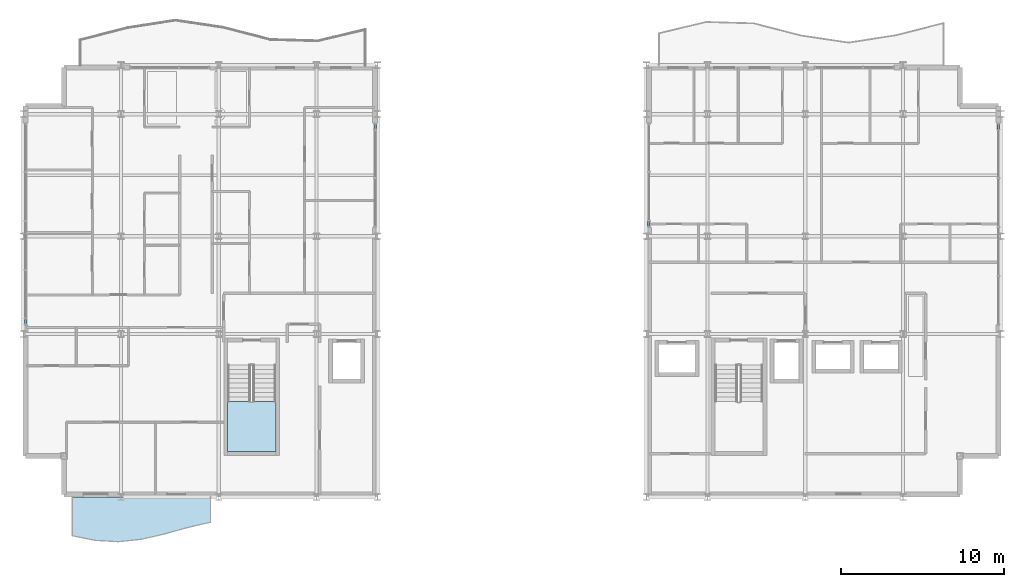
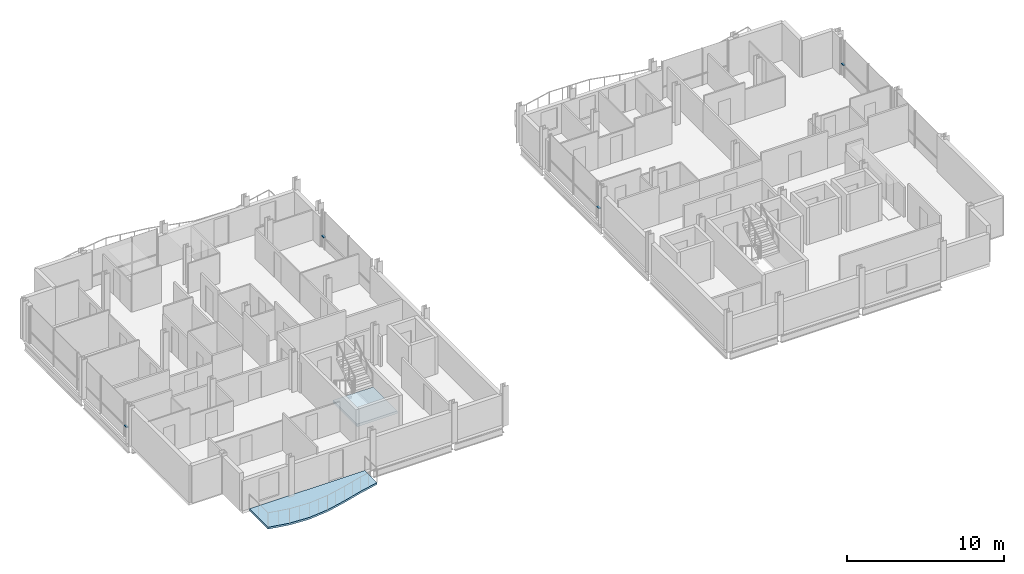
# One storey, part 15 of 27: 4 members, 2 slabs, 5 elements without a shape of their own.
"""IFC4 building model written with IfcOpenShell, lengths in metres."""

from ifc_helpers import new_model, si_unit, direction, frame, origin, origin_2d, place, context, subcontext, project, spatial, polyline, hollow_rectangle, outline, extrude, material, layer, layer_set, material_profile, profile_set, type_object, element, aggregate, save


model = new_model("IFC4")

# Units and contexts
model_context = context("Model", 3, precision=1e-05, world=origin(), true_north=direction((0.0, 1.0)))
body_context = subcontext(model_context, "Body", "Model", "MODEL_VIEW")
ifc_project = project(units=[si_unit("LENGTHUNIT", "METRE"), si_unit("AREAUNIT", "SQUARE_METRE"), si_unit("VOLUMEUNIT", "CUBIC_METRE"), si_unit("PLANEANGLEUNIT", "RADIAN"), si_unit("MASSUNIT", "GRAM", prefix="KILO")], contexts=[model_context])

# Site, building, storey
site_placement = place(None, origin())
site = spatial("IfcSite", under=ifc_project, at=site_placement, CompositionType="ELEMENT")
building_placement = place(site_placement, origin())
building = spatial("IfcBuilding", under=site, at=building_placement, Name="Brevholm Reach", CompositionType="ELEMENT")
storey_placement = place(building_placement, frame((0.0, 0.0, 195.60009765625)))
storey = spatial("IfcBuildingStorey", under=building, at=storey_placement, Name="L59", CompositionType="ELEMENT", Elevation=195.60009765625)

# Curtain wall, member
ifc_material_1 = material(Name="Dark Anodised Aluminium 6063-T6 and Solar-Control Glass", Category="aluminium")
ifc_layer_1 = layer(ifc_material_1, 0.14990234375)
ifc_layer_set_1 = layer_set([ifc_layer_1], Name="Dark Anodised Aluminium 6063-T6 and Solar-Control Glass")
curtain_wall_type_1 = type_object("IfcCurtainWallType", Name="CW-01", PredefinedType="NOTDEFINED", material=ifc_layer_set_1)
curtain_wall_1_placement = place(storey_placement, origin())
curtain_wall_1 = element("IfcCurtainWall", 1, at=curtain_wall_1_placement, inside=storey, type_object=curtain_wall_type_1, Name="L59 Curtain Wall CW-01", PredefinedType="NOTDEFINED")
ifc_material_2 = material(Name="Dark Anodised Aluminium 6063-T6", Category="aluminium")
ifc_material_profile_1 = material_profile(ifc_material_2, hollow_rectangle(XDim=0.06494140625, YDim=0.14990234375, WallThickness=0.0048828125, InnerFilletRadius=0.0048828125, OuterFilletRadius=0.010009765625, at=origin_2d()), Name="RHS 150x65x5")
ifc_profile_set_1 = profile_set([ifc_material_profile_1], Name="Dark Anodised Aluminium 6063-T6")
member_type_1 = type_object("IfcMemberType", Name="CWT-150", PredefinedType="NOTDEFINED", material=ifc_profile_set_1)
member_1_placement = place(storey_placement, frame((0.14990234375, 10.91748046875, 0.89990234375), z_axis=(0.0, -1.0, 0.0), x_axis=(0.0, 0.0, 1.0)))
member_1 = element("IfcMember", 2, at=member_1_placement, type_object=member_type_1, Name="CT-150 Transom 5.1", ObjectType="TRANSOM", PredefinedType="USERDEFINED", context=body_context, shape_type="SweptSolid", body=[
    extrude(hollow_rectangle(XDim=0.06494140625, YDim=0.14990234375, WallThickness=0.0048828125, InnerFilletRadius=0.0048828125, OuterFilletRadius=0.010009765625, at=origin_2d()), origin(), (0.0, 0.0, 1.0), 0.302490234375),
])
aggregate(curtain_wall_1, [member_1])

curtain_wall_2_placement = place(storey_placement, origin())
curtain_wall_2 = element("IfcCurtainWall", 3, at=curtain_wall_2_placement, inside=storey, type_object=curtain_wall_type_1, Name="L59 Curtain Wall CW-01", PredefinedType="NOTDEFINED")
member_2_placement = place(storey_placement, frame((59.85009765625, 22.58251953125, 0.89990234375), z_axis=(0.0, 1.0, 0.0), x_axis=(0.0, 0.0, 1.0)))
member_2 = element("IfcMember", 4, at=member_2_placement, type_object=member_type_1, Name="CT-150 Transom 5.1", ObjectType="TRANSOM", PredefinedType="USERDEFINED", context=body_context, shape_type="SweptSolid", body=[
    extrude(hollow_rectangle(XDim=0.06494140625, YDim=0.14990234375, WallThickness=0.0048828125, InnerFilletRadius=0.0048828125, OuterFilletRadius=0.010009765625, at=origin_2d()), origin(), (0.0, 0.0, 1.0), 0.302490234375),
])
aggregate(curtain_wall_2, [member_2])

ifc_material_3 = material(Name="Dark Anodised Aluminium 6063-T6 and Solar-Control Glass", Category="aluminium")
ifc_layer_2 = layer(ifc_material_3, 0.1650390625)
ifc_layer_set_2 = layer_set([ifc_layer_2], Name="Dark Anodised Aluminium 6063-T6 and Solar-Control Glass")
curtain_wall_type_2 = type_object("IfcCurtainWallType", Name="CW-04", PredefinedType="NOTDEFINED", material=ifc_layer_set_2)
curtain_wall_3_placement = place(storey_placement, origin())
curtain_wall_3 = element("IfcCurtainWall", 5, at=curtain_wall_3_placement, inside=storey, type_object=curtain_wall_type_2, Name="L59 Curtain Wall CW-04", PredefinedType="NOTDEFINED")
ifc_material_4 = material(Name="Dark Anodised Aluminium 6063-T6", Category="aluminium")
ifc_material_profile_2 = material_profile(ifc_material_4, hollow_rectangle(XDim=0.070068359375, YDim=0.1650390625, WallThickness=0.0048828125, InnerFilletRadius=0.0048828125, OuterFilletRadius=0.010009765625, at=origin_2d()), Name="RHS 165x70x5")
ifc_profile_set_2 = profile_set([ifc_material_profile_2], Name="Dark Anodised Aluminium 6063-T6")
member_type_2 = type_object("IfcMemberType", Name="CWT-165", PredefinedType="NOTDEFINED", material=ifc_profile_set_2)
member_3_placement = place(storey_placement, frame((21.60009765625, 22.5849609375, 0.89990234375), z_axis=(0.0, 1.0, 0.0), x_axis=(0.0, 0.0, 1.0)))
member_3 = element("IfcMember", 6, at=member_3_placement, type_object=member_type_2, Name="CT-165 Transom 3.1", ObjectType="TRANSOM", PredefinedType="USERDEFINED", context=body_context, shape_type="SweptSolid", body=[
    extrude(hollow_rectangle(XDim=0.070068359375, YDim=0.1650390625, WallThickness=0.0048828125, InnerFilletRadius=0.0048828125, OuterFilletRadius=0.010009765625, at=origin_2d()), origin(), (0.0, 0.0, 1.0), 0.294921875),
])
aggregate(curtain_wall_3, [member_3])

curtain_wall_4_placement = place(storey_placement, origin())
curtain_wall_4 = element("IfcCurtainWall", 7, at=curtain_wall_4_placement, inside=storey, type_object=curtain_wall_type_2, Name="L59 Curtain Wall CW-04", PredefinedType="NOTDEFINED")
member_4_placement = place(storey_placement, frame((38.39990234375, 16.9150390625, 0.89990234375), z_axis=(0.0, -1.0, 0.0), x_axis=(0.0, 0.0, 1.0)))
member_4 = element("IfcMember", 8, at=member_4_placement, type_object=member_type_2, Name="CT-165 Transom 3.1", ObjectType="TRANSOM", PredefinedType="USERDEFINED", context=body_context, shape_type="SweptSolid", body=[
    extrude(hollow_rectangle(XDim=0.070068359375, YDim=0.1650390625, WallThickness=0.0048828125, InnerFilletRadius=0.0048828125, OuterFilletRadius=0.010009765625, at=origin_2d()), origin(), (0.0, 0.0, 1.0), 0.294921875),
])
aggregate(curtain_wall_4, [member_4])

# Slab
ifc_material_5 = material(Name="Precast Concrete C45/55", Category="concrete")
ifc_layer_3 = layer(ifc_material_5, 0.14990234375)
ifc_layer_set_3 = layer_set([ifc_layer_3], Name="Precast Concrete C45/55")
slab_type_1 = type_object("IfcSlabType", Name="SLB-BAL-150", PredefinedType="FLOOR", material=ifc_layer_set_3)
slab_1_placement = place(storey_placement, frame((0.0, 0.0, -0.150146484375)))
element("IfcSlab", 9, at=slab_1_placement, inside=storey, type_object=slab_type_1, Name="L59 Rippling External Balcony SW", PredefinedType="FLOOR", context=body_context, shape_type="SweptSolid", body=[
    extrude(outline(polyline([(3.0, -2.38134765625), (4.416748046875, -2.665283203125), (5.833251953125, -2.747314453125), (7.25, -2.599609375), (8.666748046875, -2.2724609375), (10.083251953125, -1.877685546875), (11.5, -1.55029296875), (11.5, 0.0), (3.0, 0.0), (3.0, -2.38134765625)])), origin(), (0.0, 0.0, 1.0), 0.150146484375),
])

# Stair, slab
ifc_material_6 = material(Name="Precast Concrete C40/50", Category="concrete")
stair_type = type_object("IfcStairType", Name="STR-ESC-1400", PredefinedType="DOUBLE_RETURN_STAIR", material=ifc_material_6)
stair_placement = place(storey_placement, origin())
stair = element("IfcStair", 10, at=stair_placement, inside=storey, type_object=stair_type, Name="L59 ST-1", PredefinedType="DOUBLE_RETURN_STAIR")
ifc_material_7 = material(Name="Concrete C40/50", Category="concrete")
ifc_layer_4 = layer(ifc_material_7, 0.199951171875)
ifc_layer_set_4 = layer_set([ifc_layer_4], Name="Concrete C40/50")
slab_type_2 = type_object("IfcSlabType", Name="SLB-LND-200", PredefinedType="LANDING", material=ifc_layer_set_4)
slab_2_placement = place(storey_placement, frame((0.0, 0.0, 1.349853515625)))
slab_2 = element("IfcSlab", 11, at=slab_2_placement, type_object=slab_type_2, Name="ST-1 landing 1", PredefinedType="LANDING", context=body_context, shape_type="SweptSolid", body=[
    extrude(outline(polyline([(12.550048828125, 5.860107421875), (12.550048828125, 2.780029296875), (15.5, 2.780029296875), (15.5, 5.860107421875), (12.550048828125, 5.860107421875)])), origin(), (0.0, 0.0, 1.0), 0.199951171875),
])
aggregate(stair, [slab_2])

save(model, "model.ifc")
